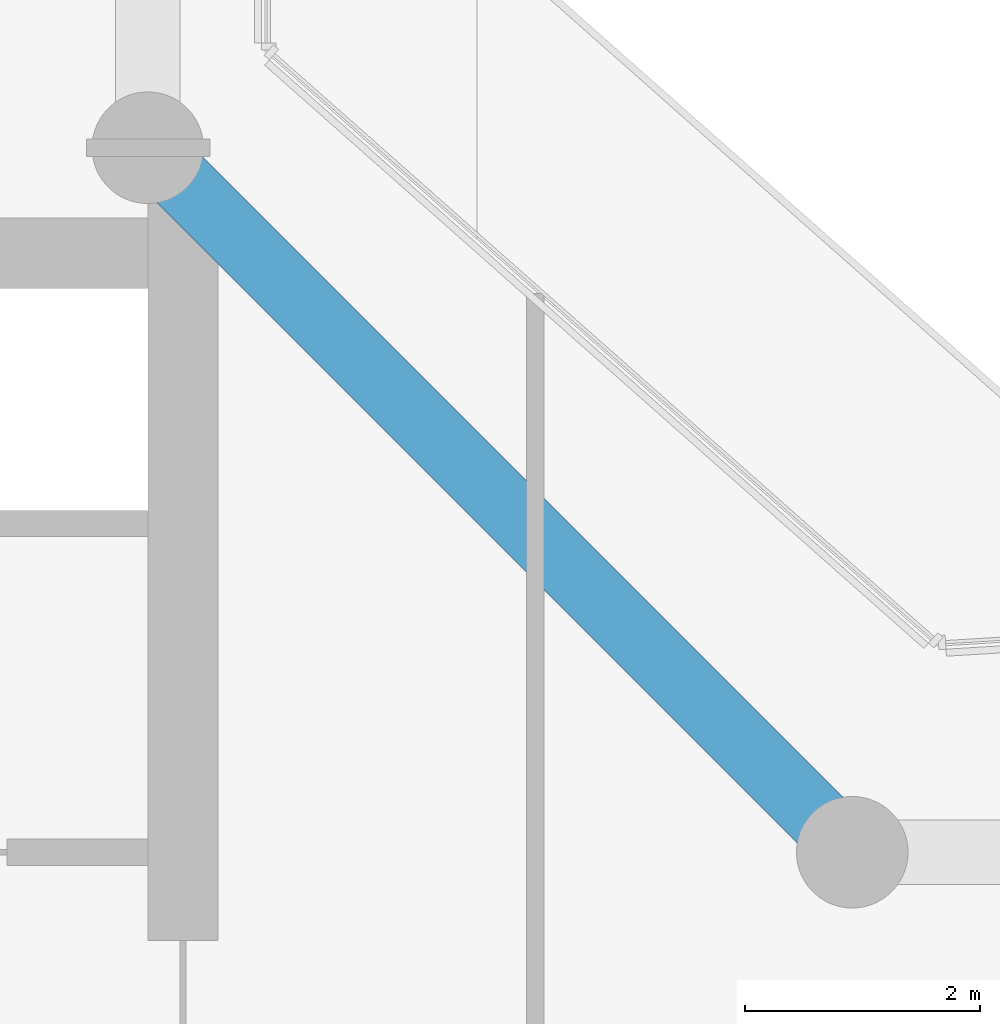
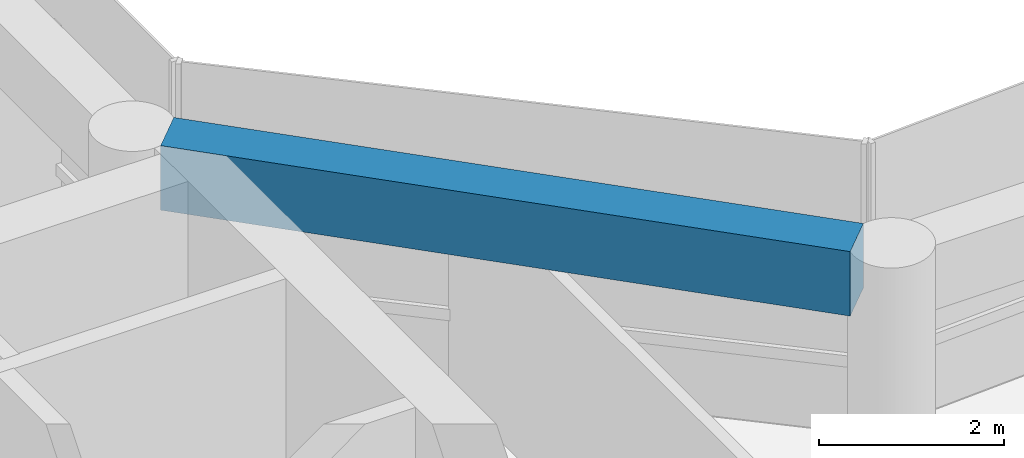
# One storey, part 6 of 21: 1 beam.
"""IFC4 building model written with IfcOpenShell, lengths in metres."""

from ifc_helpers import new_model, si_unit, direction, frame, origin, origin_2d, place, context, subcontext, project, spatial, rectangle, extrude, material, material_profile, profile_set, type_object, element, save


model = new_model("IFC4")

# Units and contexts
model_context = context("Model", 3, precision=1e-05, world=origin(), true_north=direction((0.0, 1.0)))
body_context = subcontext(model_context, "Body", "Model", "MODEL_VIEW")
ifc_project = project(units=[si_unit("LENGTHUNIT", "METRE"), si_unit("AREAUNIT", "SQUARE_METRE"), si_unit("VOLUMEUNIT", "CUBIC_METRE"), si_unit("PLANEANGLEUNIT", "RADIAN"), si_unit("MASSUNIT", "GRAM", prefix="KILO")], contexts=[model_context])

# Site, building, storey
site_placement = place(None, origin())
site = spatial("IfcSite", under=ifc_project, at=site_placement, CompositionType="ELEMENT")
building_placement = place(site_placement, origin())
building = spatial("IfcBuilding", under=site, at=building_placement, Name="Welwitschia Terrace Campus", CompositionType="ELEMENT")
storey_placement = place(building_placement, frame((0.0, 0.0, 184.39990234375)))
storey = spatial("IfcBuildingStorey", under=building, at=storey_placement, Name="L41", CompositionType="ELEMENT", Elevation=184.39990234375)

# Beam
ifc_material = material(Name="Concrete C50/60", Category="concrete")
ifc_material_profile = material_profile(ifc_material, rectangle(XDim=0.550048828125, YDim=0.85009765625, at=origin_2d()))
ifc_profile_set = profile_set([ifc_material_profile], Name="Concrete C50/60")
beam_type = type_object("IfcBeamType", Name="Ring spandrel 550x850", PredefinedType="SPANDREL", material=ifc_profile_set)
beam_placement = place(storey_placement, frame((29.7255859375, 20.2744140625, 3.425048828125), z_axis=(-0.707106781187, 0.707106781187, 0.0), x_axis=(-0.707106781187, -0.707106781187, 0.0)))
element("IfcBeam", 1, at=beam_placement, inside=storey, type_object=beam_type, Name="Spandrel SP3", PredefinedType="SPANDREL", context=body_context, shape_type="SweptSolid", body=[
    extrude(rectangle(XDim=0.550048828125, YDim=0.85009765625, at=origin_2d()), origin(), (0.0, 0.0, 1.0), 7.709228515625),
])

save(model, "model.ifc")
